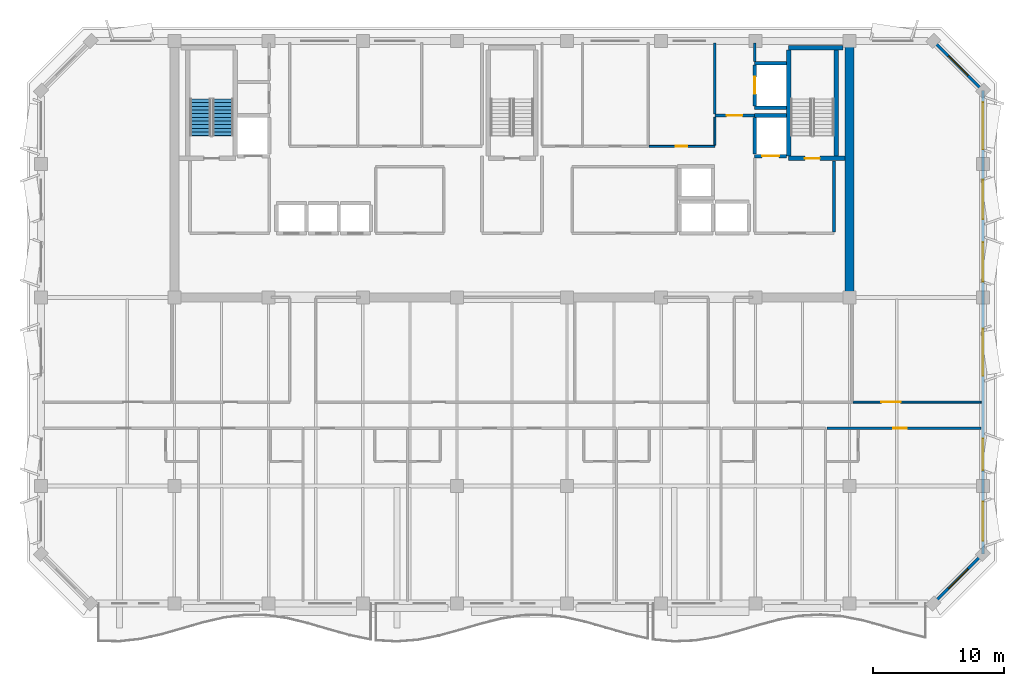
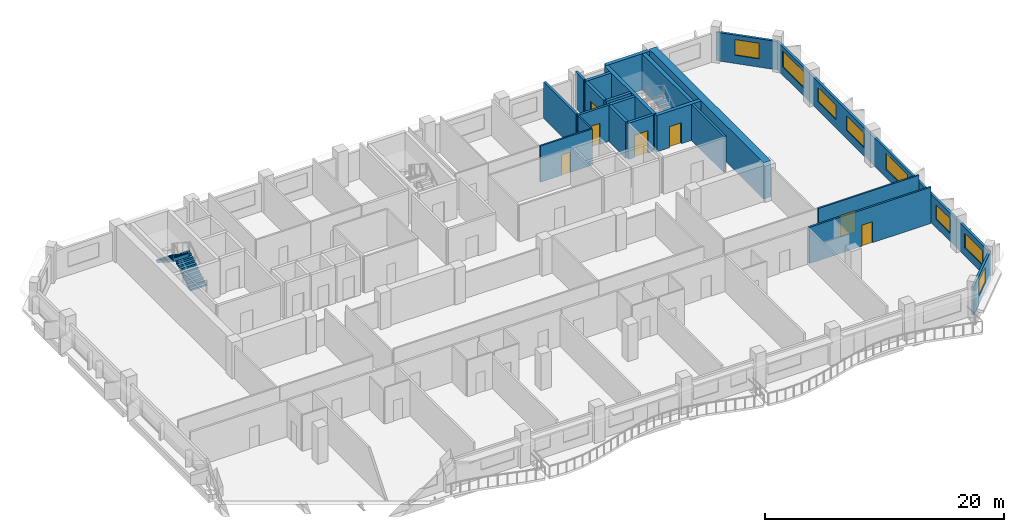
# One storey, part 7 of 11: 22 walls, 8 windows, 7 doors, 2 stair flights, 15 openings, 1 element without a shape of its own.
"""IFC4 building model written with IfcOpenShell, lengths in metres."""

from ifc_helpers import new_model, si_unit, direction, frame, frame_2d, origin, place, context, subcontext, project, spatial, polyline, rectangle, outline, extrude, material, layer, layer_set, type_object, element, fill, aggregate, save


model = new_model("IFC4")

# Units and contexts
model_context = context("Model", 3, precision=1e-05, world=origin(), true_north=direction((0.0, 1.0)))
body_context = subcontext(model_context, "Body", "Model", "MODEL_VIEW")
ifc_project = project(units=[si_unit("LENGTHUNIT", "METRE"), si_unit("AREAUNIT", "SQUARE_METRE"), si_unit("VOLUMEUNIT", "CUBIC_METRE"), si_unit("PLANEANGLEUNIT", "RADIAN"), si_unit("MASSUNIT", "GRAM", prefix="KILO")], contexts=[model_context])

# Site, building, storey
site_placement = place(None, origin())
site = spatial("IfcSite", under=ifc_project, at=site_placement, CompositionType="ELEMENT")
building_placement = place(site_placement, origin())
building = spatial("IfcBuilding", under=site, at=building_placement, Name="Kaelvorn Grand Hotel", CompositionType="ELEMENT")
storey_placement = place(building_placement, frame((0.0, 0.0, 244.949951171875)))
storey = spatial("IfcBuildingStorey", under=building, at=storey_placement, Name="L60", CompositionType="ELEMENT", Elevation=244.949951171875)

# Wall
ifc_material_1 = material(Name="Concrete C50/60", Category="concrete")
ifc_layer_1 = layer(ifc_material_1, 0.699951171875)
ifc_layer_set_1 = layer_set([ifc_layer_1], Name="Concrete C50/60")
wall_type_1 = type_object("IfcWallType", Name="WL-CORE-700-C50", PredefinedType="SHEAR", material=ifc_layer_set_1)
wall_1_placement = place(storey_placement, frame((67.800048828125, 29.39990234375, 0.0), z_axis=(0.0, 0.0, 1.0), x_axis=(0.0, 1.0, 0.0)))
element("IfcWall", 1, at=wall_1_placement, inside=storey, type_object=wall_type_1, Name="L60 Rear-Core East Shear Wall", PredefinedType="SHEAR", context=body_context, shape_type="SweptSolid", body=[
    extrude(rectangle(XDim=19.2001953125, YDim=0.699951171875, at=frame_2d((9.60009765625, 0.0))), origin(), (0.0, 0.0, 1.0), 3.7099609375),
])

# Wall, opening, window
ifc_material_2 = material(Name="Concrete C40/50", Category="concrete")
ifc_layer_2 = layer(ifc_material_2, 0.219970703125)
ifc_layer_set_2 = layer_set([ifc_layer_2], Name="Concrete C40/50")
wall_type_2 = type_object("IfcWallType", Name="WL-EXT-220-C40", PredefinedType="SOLIDWALL", material=ifc_layer_set_2)
wall_2_placement = place(storey_placement, frame((74.199951171875, 6.0, 0.0), z_axis=(0.0, 0.0, 1.0), x_axis=(0.707106781187, 0.707106781187, 0.0)))
wall_2 = element("IfcWall", 2, at=wall_2_placement, inside=storey, type_object=wall_type_2, Name="L60 Exterior Architectural Concrete Wall 02", PredefinedType="SOLIDWALL", context=body_context, shape_type="SweptSolid", body=[
    extrude(rectangle(XDim=5.3740234375, YDim=0.219970703125, at=frame_2d((2.68701171875, 0.0))), origin(), (0.0, 0.0, 1.0), 2.91015625),
])
opening_1_placement = place(wall_2_placement, frame((1.636962890625, 0.0, 0.85009765625)))
opening_1 = element("IfcOpeningElement", 3, at=opening_1_placement, cuts=wall_2, Name="Opening W7", PredefinedType="OPENING", context=body_context, shape_type="SweptSolid", body=[
    extrude(rectangle(XDim=2.10009765625, YDim=1.60009765625, at=frame_2d((1.050048828125, 0.800048828125))), frame((0.0, 0.1201171875, 0.0), z_axis=(0.0, -1.0, 0.0), x_axis=(1.0, 0.0, 0.0)), (0.0, 0.0, 1.0), 0.239990234375),
])
ifc_material_3 = material(Name="Laminated Low-E Glass", Category="glass")
window_type_1 = type_object("IfcWindowType", Name="WIN-CHM-2100x1600", PartitioningType="SINGLE_PANEL", PredefinedType="WINDOW", material=ifc_material_3)
window_1_placement = place(opening_1_placement, origin())
window_1 = element("IfcWindow", 4, at=window_1_placement, inside=storey, type_object=window_type_1, Name="L60 Chamfered 45-Degree Corner Window SE", OverallHeight=1.60009765625, OverallWidth=2.10009765625, PartitioningType="SINGLE_PANEL", PredefinedType="WINDOW", context=body_context, shape_type="SweptSolid", body=[
    extrude(rectangle(XDim=2.10009765625, YDim=1.60009765625, at=frame_2d((1.050048828125, 0.800048828125))), frame((0.0, 0.030029296875, 0.0), z_axis=(0.0, -1.0, 0.0), x_axis=(1.0, 0.0, 0.0)), (0.0, 0.0, 1.0), 0.06005859375),
])
fill(opening_1, window_1)

# Wall, openings, windows
wall_3_placement = place(storey_placement, frame((78.0, 9.800048828125, 0.0), z_axis=(0.0, 0.0, 1.0), x_axis=(0.0, 1.0, 0.0)))
wall_3 = element("IfcWall", 5, at=wall_3_placement, inside=storey, type_object=wall_type_2, Name="L60 Exterior Architectural Concrete Wall 03", PredefinedType="SOLIDWALL", context=body_context, shape_type="SweptSolid", body=[
    extrude(rectangle(XDim=35.39990234375, YDim=0.219970703125, at=frame_2d((17.699951171875, 0.0))), origin(), (0.0, 0.0, 1.0), 2.91015625),
])
opening_2_placement = place(wall_3_placement, frame((0.985107421875, 0.0, 0.85009765625)))
opening_2 = element("IfcOpeningElement", 6, at=opening_2_placement, cuts=wall_3, Name="Opening W5", PredefinedType="OPENING", context=body_context, shape_type="SweptSolid", body=[
    extrude(rectangle(XDim=3.0, YDim=1.5, at=frame_2d((1.5, 0.75))), frame((0.0, 0.1201171875, 0.0), z_axis=(0.0, -1.0, 0.0), x_axis=(1.0, 0.0, 0.0)), (0.0, 0.0, 1.0), 0.239990234375),
])
opening_3_placement = place(wall_3_placement, frame((6.39990234375, 0.0, 0.85009765625)))
opening_3 = element("IfcOpeningElement", 7, at=opening_3_placement, cuts=wall_3, Name="Opening W6", PredefinedType="OPENING", context=body_context, shape_type="SweptSolid", body=[
    extrude(rectangle(XDim=2.39990234375, YDim=1.5, at=frame_2d((1.199951171875, 0.75))), frame((0.0, 0.1201171875, 0.0), z_axis=(0.0, -1.0, 0.0), x_axis=(1.0, 0.0, 0.0)), (0.0, 0.0, 1.0), 0.239990234375),
])
opening_4_placement = place(wall_3_placement, frame((13.60009765625, 0.0, 0.85009765625)))
opening_4 = element("IfcOpeningElement", 8, at=opening_4_placement, cuts=wall_3, Name="Opening W3", PredefinedType="OPENING", context=body_context, shape_type="SweptSolid", body=[
    extrude(rectangle(XDim=3.60009765625, YDim=1.64990234375, at=frame_2d((1.800048828125, 0.824951171875))), frame((0.0, 0.1201171875, 0.0), z_axis=(0.0, -1.0, 0.0), x_axis=(1.0, 0.0, 0.0)), (0.0, 0.0, 1.0), 0.239990234375),
])
opening_5_placement = place(wall_3_placement, frame((20.81494140625, 0.0, 0.85009765625)))
opening_5 = element("IfcOpeningElement", 9, at=opening_5_placement, cuts=wall_3, Name="Opening W5", PredefinedType="OPENING", context=body_context, shape_type="SweptSolid", body=[
    extrude(rectangle(XDim=3.0, YDim=1.5, at=frame_2d((1.5, 0.75))), frame((0.0, 0.1201171875, 0.0), z_axis=(0.0, -1.0, 0.0), x_axis=(1.0, 0.0, 0.0)), (0.0, 0.0, 1.0), 0.239990234375),
])
opening_6_placement = place(wall_3_placement, frame((25.5849609375, 0.0, 0.85009765625)))
opening_6 = element("IfcOpeningElement", 10, at=opening_6_placement, cuts=wall_3, Name="Opening W5", PredefinedType="OPENING", context=body_context, shape_type="SweptSolid", body=[
    extrude(rectangle(XDim=3.0, YDim=1.5, at=frame_2d((1.5, 0.75))), frame((0.0, 0.1201171875, 0.0), z_axis=(0.0, -1.0, 0.0), x_axis=(1.0, 0.0, 0.0)), (0.0, 0.0, 1.0), 0.239990234375),
])
opening_7_placement = place(wall_3_placement, frame((30.9150390625, 0.0, 0.85009765625)))
opening_7 = element("IfcOpeningElement", 11, at=opening_7_placement, cuts=wall_3, Name="Opening W3", PredefinedType="OPENING", context=body_context, shape_type="SweptSolid", body=[
    extrude(rectangle(XDim=3.60009765625, YDim=1.64990234375, at=frame_2d((1.800048828125, 0.824951171875))), frame((0.0, 0.1201171875, 0.0), z_axis=(0.0, -1.0, 0.0), x_axis=(1.0, 0.0, 0.0)), (0.0, 0.0, 1.0), 0.239990234375),
])
window_type_2 = type_object("IfcWindowType", Name="WIN-NTH-2400x1500", PartitioningType="SINGLE_PANEL", PredefinedType="WINDOW", material=ifc_material_3)
window_2_placement = place(opening_3_placement, origin())
window_2 = element("IfcWindow", 12, at=window_2_placement, inside=storey, type_object=window_type_2, Name="L60 E Wing Tilted-Frame Ribbon Window E02", OverallHeight=1.5, OverallWidth=2.39990234375, PartitioningType="SINGLE_PANEL", PredefinedType="WINDOW", context=body_context, shape_type="SweptSolid", body=[
    extrude(rectangle(XDim=2.39990234375, YDim=1.5, at=frame_2d((1.199951171875, 0.75))), frame((0.0, 0.030029296875, 0.0), z_axis=(0.0, -1.0, 0.0), x_axis=(1.0, 0.0, 0.0)), (0.0, 0.0, 1.0), 0.06005859375),
])
fill(opening_3, window_2)
window_type_3 = type_object("IfcWindowType", Name="WIN-NTH-3000x1500", PartitioningType="SINGLE_PANEL", PredefinedType="WINDOW", material=ifc_material_3)
window_3_placement = place(opening_2_placement, origin())
window_3 = element("IfcWindow", 13, at=window_3_placement, inside=storey, type_object=window_type_3, Name="L60 E Wing Tilted-Frame Ribbon Window E01", OverallHeight=1.5, OverallWidth=3.0, PartitioningType="SINGLE_PANEL", PredefinedType="WINDOW", context=body_context, shape_type="SweptSolid", body=[
    extrude(rectangle(XDim=3.0, YDim=1.5, at=frame_2d((1.5, 0.75))), frame((0.0, 0.030029296875, 0.0), z_axis=(0.0, -1.0, 0.0), x_axis=(1.0, 0.0, 0.0)), (0.0, 0.0, 1.0), 0.06005859375),
])
fill(opening_2, window_3)
window_4_placement = place(opening_5_placement, origin())
window_4 = element("IfcWindow", 14, at=window_4_placement, inside=storey, type_object=window_type_3, Name="L60 E Wing Tilted-Frame Ribbon Window E04", OverallHeight=1.5, OverallWidth=3.0, PartitioningType="SINGLE_PANEL", PredefinedType="WINDOW", context=body_context, shape_type="SweptSolid", body=[
    extrude(rectangle(XDim=3.0, YDim=1.5, at=frame_2d((1.5, 0.75))), frame((0.0, 0.030029296875, 0.0), z_axis=(0.0, -1.0, 0.0), x_axis=(1.0, 0.0, 0.0)), (0.0, 0.0, 1.0), 0.06005859375),
])
fill(opening_5, window_4)
window_5_placement = place(opening_6_placement, origin())
window_5 = element("IfcWindow", 15, at=window_5_placement, inside=storey, type_object=window_type_3, Name="L60 E Wing Tilted-Frame Ribbon Window E05", OverallHeight=1.5, OverallWidth=3.0, PartitioningType="SINGLE_PANEL", PredefinedType="WINDOW", context=body_context, shape_type="SweptSolid", body=[
    extrude(rectangle(XDim=3.0, YDim=1.5, at=frame_2d((1.5, 0.75))), frame((0.0, 0.030029296875, 0.0), z_axis=(0.0, -1.0, 0.0), x_axis=(1.0, 0.0, 0.0)), (0.0, 0.0, 1.0), 0.06005859375),
])
fill(opening_6, window_5)
window_type_4 = type_object("IfcWindowType", Name="WIN-RIB-3600x1750", PartitioningType="SINGLE_PANEL", PredefinedType="WINDOW", material=ifc_material_3)
window_6_placement = place(opening_4_placement, origin())
window_6 = element("IfcWindow", 16, at=window_6_placement, inside=storey, type_object=window_type_4, Name="L60 E Wing Tilted-Frame Ribbon Window E03", OverallHeight=1.64990234375, OverallWidth=3.60009765625, PartitioningType="SINGLE_PANEL", PredefinedType="WINDOW", context=body_context, shape_type="SweptSolid", body=[
    extrude(rectangle(XDim=3.60009765625, YDim=1.64990234375, at=frame_2d((1.800048828125, 0.824951171875))), frame((0.0, 0.030029296875, 0.0), z_axis=(0.0, -1.0, 0.0), x_axis=(1.0, 0.0, 0.0)), (0.0, 0.0, 1.0), 0.06005859375),
])
fill(opening_4, window_6)
window_7_placement = place(opening_7_placement, origin())
window_7 = element("IfcWindow", 17, at=window_7_placement, inside=storey, type_object=window_type_4, Name="L60 E Wing Tilted-Frame Ribbon Window E06", OverallHeight=1.64990234375, OverallWidth=3.60009765625, PartitioningType="SINGLE_PANEL", PredefinedType="WINDOW", context=body_context, shape_type="SweptSolid", body=[
    extrude(rectangle(XDim=3.60009765625, YDim=1.64990234375, at=frame_2d((1.800048828125, 0.824951171875))), frame((0.0, 0.030029296875, 0.0), z_axis=(0.0, -1.0, 0.0), x_axis=(1.0, 0.0, 0.0)), (0.0, 0.0, 1.0), 0.06005859375),
])
fill(opening_7, window_7)

# Wall, opening, window
wall_4_placement = place(storey_placement, frame((78.0, 45.199951171875, 0.0), z_axis=(0.0, 0.0, 1.0), x_axis=(-0.707106781187, 0.707106781187, 0.0)))
wall_4 = element("IfcWall", 18, at=wall_4_placement, inside=storey, type_object=wall_type_2, Name="L60 Exterior Architectural Concrete Wall 04", PredefinedType="SOLIDWALL", context=body_context, shape_type="SweptSolid", body=[
    extrude(rectangle(XDim=5.3740234375, YDim=0.219970703125, at=frame_2d((2.68701171875, 0.0))), origin(), (0.0, 0.0, 1.0), 2.91015625),
])
opening_8_placement = place(wall_4_placement, frame((1.636962890625, 0.0, 0.85009765625)))
opening_8 = element("IfcOpeningElement", 19, at=opening_8_placement, cuts=wall_4, Name="Opening W7", PredefinedType="OPENING", context=body_context, shape_type="SweptSolid", body=[
    extrude(rectangle(XDim=2.10009765625, YDim=1.60009765625, at=frame_2d((1.050048828125, 0.800048828125))), frame((0.0, 0.1201171875, 0.0), z_axis=(0.0, -1.0, 0.0), x_axis=(1.0, 0.0, 0.0)), (0.0, 0.0, 1.0), 0.239990234375),
])
window_8_placement = place(opening_8_placement, origin())
window_8 = element("IfcWindow", 20, at=window_8_placement, inside=storey, type_object=window_type_1, Name="L60 Chamfered 45-Degree Corner Window NE", OverallHeight=1.60009765625, OverallWidth=2.10009765625, PartitioningType="SINGLE_PANEL", PredefinedType="WINDOW", context=body_context, shape_type="SweptSolid", body=[
    extrude(rectangle(XDim=2.10009765625, YDim=1.60009765625, at=frame_2d((1.050048828125, 0.800048828125))), frame((0.0, 0.030029296875, 0.0), z_axis=(0.0, -1.0, 0.0), x_axis=(1.0, 0.0, 0.0)), (0.0, 0.0, 1.0), 0.06005859375),
])
fill(opening_8, window_8)

# Wall, opening, door
ifc_material_4 = material(Name="Acoustic Gypsum & Stud Partition")
ifc_layer_3 = layer(ifc_material_4, 0.14990234375)
ifc_layer_set_3 = layer_set([ifc_layer_3], Name="Acoustic Gypsum & Stud Partition")
wall_type_3 = type_object("IfcWallType", Name="WL-PART-150-EI60", PredefinedType="PARTITIONING", material=ifc_layer_set_3)
wall_5_placement = place(storey_placement, frame((52.47998046875, 40.949951171875, 0.0), z_axis=(0.0, 0.0, 1.0), x_axis=(1.0, 0.0, 0.0)))
wall_5 = element("IfcWall", 21, at=wall_5_placement, inside=storey, type_object=wall_type_3, Name="L60 Clean Utility & Amenity Store S Partition", PredefinedType="PARTITIONING", context=body_context, shape_type="SweptSolid", body=[
    extrude(rectangle(XDim=5.02001953125, YDim=0.14990234375, at=frame_2d((2.510009765625, 0.0))), origin(), (0.0, 0.0, 1.0), 3.7099609375),
])
opening_9_placement = place(wall_5_placement, frame((2.044921875, 0.0, 0.0)))
opening_9 = element("IfcOpeningElement", 22, at=opening_9_placement, cuts=wall_5, Name="Opening DI7", PredefinedType="OPENING", context=body_context, shape_type="SweptSolid", body=[
    extrude(rectangle(XDim=0.85009765625, YDim=2.10009765625, at=frame_2d((0.425048828125, 1.050048828125))), frame((0.0, 0.0849609375, 0.0), z_axis=(0.0, -1.0, 0.0), x_axis=(1.0, 0.0, 0.0)), (0.0, 0.0, 1.0), 0.169921875),
])
ifc_material_5 = material(Name="Powder-Coated Steel Leaf", Category="steel")
door_type_1 = type_object("IfcDoorType", Name="DR-INT-RISER-850x2100", OperationType="NOTDEFINED", PredefinedType="DOOR", material=ifc_material_5)
door_1_placement = place(opening_9_placement, origin())
door_1 = element("IfcDoor", 23, at=door_1_placement, inside=storey, type_object=door_type_1, Name="L60 Clean Utility & Amenity Store Door", OperationType="SINGLE_SWING_RIGHT", OverallHeight=2.10009765625, OverallWidth=0.85009765625, PredefinedType="DOOR", context=body_context, shape_type="SweptSolid", body=[
    extrude(rectangle(XDim=0.85009765625, YDim=2.10009765625, at=frame_2d((0.425048828125, 1.050048828125))), frame((0.0, 0.02490234375, 0.0), z_axis=(0.0, -1.0, 0.0), x_axis=(1.0, 0.0, 0.0)), (0.0, 0.0, 1.0), 0.050048828125),
])
fill(opening_9, door_1)

# Wall
wall_6_placement = place(storey_placement, frame((57.5, 41.030029296875, 0.0), z_axis=(0.0, 0.0, 1.0), x_axis=(0.0, 1.0, 0.0)))
element("IfcWall", 24, at=wall_6_placement, inside=storey, type_object=wall_type_3, Name="L60 Clean Utility & Amenity Store E Partition", PredefinedType="PARTITIONING", context=body_context, shape_type="SweptSolid", body=[
    extrude(rectangle(XDim=2.155029296875, YDim=0.14990234375, at=frame_2d((1.07763671875, 0.0))), origin(), (0.0, 0.0, 1.0), 3.7099609375),
])

# Wall, opening, door
wall_7_placement = place(storey_placement, frame((68.080078125, 21.39990234375, 0.0), z_axis=(0.0, 0.0, 1.0), x_axis=(1.0, 0.0, 0.0)))
wall_7 = element("IfcWall", 25, at=wall_7_placement, inside=storey, type_object=wall_type_3, Name="L60 East Sky Private Dining Restaurant S Partition", PredefinedType="PARTITIONING", context=body_context, shape_type="SweptSolid", body=[
    extrude(rectangle(XDim=9.77001953125, YDim=0.14990234375, at=frame_2d((4.885009765625, 0.0))), origin(), (0.0, 0.0, 1.0), 3.7099609375),
])
opening_10_placement = place(wall_7_placement, frame((2.139892578125, 0.0, 0.0)))
opening_10 = element("IfcOpeningElement", 26, at=opening_10_placement, cuts=wall_7, Name="Opening DI5", PredefinedType="OPENING", context=body_context, shape_type="SweptSolid", body=[
    extrude(rectangle(XDim=1.5, YDim=2.25, at=frame_2d((0.75, 1.125))), frame((0.0, 0.0849609375, 0.0), z_axis=(0.0, -1.0, 0.0), x_axis=(1.0, 0.0, 0.0)), (0.0, 0.0, 1.0), 0.169921875),
])
ifc_material_6 = material(Name="Timber Veneer Fire Leaf", Category="wood")
door_type_2 = type_object("IfcDoorType", Name="DR-INT-SALON-1500x2250", OperationType="DOUBLE_DOOR_SINGLE_SWING", PredefinedType="DOOR", material=ifc_material_6)
door_2_placement = place(opening_10_placement, origin())
door_2 = element("IfcDoor", 27, at=door_2_placement, inside=storey, type_object=door_type_2, Name="L60 East Sky Private Dining Restaurant Door", OperationType="DOUBLE_DOOR_SINGLE_SWING", OverallHeight=2.25, OverallWidth=1.5, PredefinedType="DOOR", context=body_context, shape_type="SweptSolid", body=[
    extrude(rectangle(XDim=1.5, YDim=2.25, at=frame_2d((0.75, 1.125))), frame((0.0, 0.02490234375, 0.0), z_axis=(0.0, -1.0, 0.0), x_axis=(1.0, 0.0, 0.0)), (0.0, 0.0, 1.0), 0.050048828125),
])
fill(opening_10, door_2)

ifc_layer_4 = layer(ifc_material_4, 0.179931640625)
ifc_layer_set_4 = layer_set([ifc_layer_4], Name="Acoustic Gypsum & Stud Partition")
wall_type_4 = type_object("IfcWallType", Name="WL-PART-180-EI60", PredefinedType="PARTITIONING", material=ifc_layer_set_4)
wall_8_placement = place(storey_placement, frame((66.0576171875, 19.39990234375, 0.0), z_axis=(0.0, 0.0, 1.0), x_axis=(1.0, 0.0, 0.0)))
wall_8 = element("IfcWall", 28, at=wall_8_placement, inside=storey, type_object=wall_type_4, Name="L60 Ambassador Junior Suite L60-08 N Partition", PredefinedType="PARTITIONING", context=body_context, shape_type="SweptSolid", body=[
    extrude(rectangle(XDim=11.79248046875, YDim=0.179931640625, at=frame_2d((5.896240234375, 0.0))), origin(), (0.0, 0.0, 1.0), 3.7099609375),
])
opening_11_placement = place(wall_8_placement, frame((5.0986328125, 0.0, 0.0)))
opening_11 = element("IfcOpeningElement", 29, at=opening_11_placement, cuts=wall_8, Name="Opening DI3", PredefinedType="OPENING", context=body_context, shape_type="SweptSolid", body=[
    extrude(rectangle(XDim=1.0, YDim=2.14990234375, at=frame_2d((0.5, 1.074951171875))), frame((0.0, 0.10009765625, 0.0), z_axis=(0.0, -1.0, 0.0), x_axis=(1.0, 0.0, 0.0)), (0.0, 0.0, 1.0), 0.199951171875),
])
door_type_3 = type_object("IfcDoorType", Name="DR-INT-GUEST-1000x2150", OperationType="NOTDEFINED", PredefinedType="DOOR", material=ifc_material_6)
door_3_placement = place(opening_11_placement, origin())
door_3 = element("IfcDoor", 30, at=door_3_placement, inside=storey, type_object=door_type_3, Name="L60 Ambassador Junior Suite L60-08 Door", OperationType="SINGLE_SWING_LEFT", OverallHeight=2.14990234375, OverallWidth=1.0, PredefinedType="DOOR", context=body_context, shape_type="SweptSolid", body=[
    extrude(rectangle(XDim=1.0, YDim=2.14990234375, at=frame_2d((0.5, 1.074951171875))), frame((0.0, 0.02490234375, 0.0), z_axis=(0.0, -1.0, 0.0), x_axis=(1.0, 0.0, 0.0)), (0.0, 0.0, 1.0), 0.050048828125),
])
fill(opening_11, door_3)

# Wall
ifc_layer_5 = layer(ifc_material_2, 0.219970703125)
ifc_layer_set_5 = layer_set([ifc_layer_5], Name="Concrete C40/50")
wall_type_5 = type_object("IfcWallType", Name="WL-PART-220-EI120", PredefinedType="PARTITIONING", material=ifc_layer_set_5)
wall_9_placement = place(storey_placement, frame((66.60009765625, 34.4150390625, 0.0), z_axis=(0.0, 0.0, 1.0), x_axis=(0.0, 1.0, 0.0)))
element("IfcWall", 31, at=wall_9_placement, inside=storey, type_object=wall_type_5, Name="L60 Firefighting Lift Lobby 2 E Partition", PredefinedType="PARTITIONING", context=body_context, shape_type="SweptSolid", body=[
    extrude(rectangle(XDim=5.429931640625, YDim=0.219970703125, at=frame_2d((2.71484375, 0.0))), origin(), (0.0, 0.0, 1.0), 3.7099609375),
])

# Wall, opening, door
wall_10_placement = place(storey_placement, frame((57.5, 43.300048828125, 0.0), z_axis=(0.0, 0.0, 1.0), x_axis=(1.0, 0.0, 0.0)))
wall_10 = element("IfcWall", 32, at=wall_10_placement, inside=storey, type_object=wall_type_5, Name="L60 Service Lift Lobby S Partition", PredefinedType="PARTITIONING", context=body_context, shape_type="SweptSolid", body=[
    extrude(rectangle(XDim=3.0400390625, YDim=0.219970703125, at=frame_2d((1.52001953125, 0.0))), origin(), (0.0, 0.0, 1.0), 3.7099609375),
])
opening_12_placement = place(wall_10_placement, frame((0.89990234375, 0.0, 0.0)))
opening_12 = element("IfcOpeningElement", 33, at=opening_12_placement, cuts=wall_10, Name="Opening DI2", PredefinedType="OPENING", context=body_context, shape_type="SweptSolid", body=[
    extrude(rectangle(XDim=1.199951171875, YDim=2.14990234375, at=frame_2d((0.60009765625, 1.074951171875))), frame((0.0, 0.1201171875, 0.0), z_axis=(0.0, -1.0, 0.0), x_axis=(1.0, 0.0, 0.0)), (0.0, 0.0, 1.0), 0.239990234375),
])
door_type_4 = type_object("IfcDoorType", Name="DR-INT-FFLOB-1200x2150", OperationType="NOTDEFINED", PredefinedType="DOOR", material=ifc_material_6)
door_4_placement = place(opening_12_placement, origin())
door_4 = element("IfcDoor", 34, at=door_4_placement, inside=storey, type_object=door_type_4, Name="L60 Service Lift Lobby Door", OperationType="SINGLE_SWING_RIGHT", OverallHeight=2.14990234375, OverallWidth=1.199951171875, PredefinedType="DOOR", context=body_context, shape_type="SweptSolid", body=[
    extrude(rectangle(XDim=1.199951171875, YDim=2.14990234375, at=frame_2d((0.60009765625, 1.074951171875))), frame((0.0, 0.02490234375, 0.0), z_axis=(0.0, -1.0, 0.0), x_axis=(1.0, 0.0, 0.0)), (0.0, 0.0, 1.0), 0.050048828125),
])
fill(opening_12, door_4)

# Walls
wall_11_placement = place(storey_placement, frame((57.5, 43.4150390625, 0.0), z_axis=(0.0, 0.0, 1.0), x_axis=(0.0, 1.0, 0.0)))
element("IfcWall", 35, at=wall_11_placement, inside=storey, type_object=wall_type_5, Name="L60 Service Lift Lobby W Partition", PredefinedType="PARTITIONING", context=body_context, shape_type="SweptSolid", body=[
    extrude(rectangle(XDim=5.43505859375, YDim=0.219970703125, at=frame_2d((2.717529296875, 0.0))), origin(), (0.0, 0.0, 1.0), 3.7099609375),
])
wall_12_placement = place(storey_placement, frame((60.550048828125, 47.445068359375, 0.0), z_axis=(0.0, 0.0, 1.0), x_axis=(0.0, 1.0, 0.0)))
element("IfcWall", 36, at=wall_12_placement, inside=storey, type_object=wall_type_5, Name="L60 Service Lift Lobby E Partition", PredefinedType="PARTITIONING", context=body_context, shape_type="SweptSolid", body=[
    extrude(rectangle(XDim=1.405029296875, YDim=0.219970703125, at=frame_2d((0.70263671875, 0.0))), origin(), (0.0, 0.0, 1.0), 3.7099609375),
])

# Wall, opening, door
ifc_layer_6 = layer(ifc_material_1, 0.280029296875)
ifc_layer_set_6 = layer_set([ifc_layer_6], Name="Concrete C50/60")
wall_type_6 = type_object("IfcWallType", Name="WL-SHAFT-280-C50", PredefinedType="SHEAR", material=ifc_layer_set_6)
wall_13_placement = place(storey_placement, frame((60.550048828125, 40.199951171875, 0.0), z_axis=(0.0, 0.0, 1.0), x_axis=(1.0, 0.0, 0.0)))
wall_13 = element("IfcWall", 37, at=wall_13_placement, inside=storey, type_object=wall_type_6, Name="L60 Lift FFL2 Shaft South Wall", PredefinedType="SHEAR", context=body_context, shape_type="SweptSolid", body=[
    extrude(rectangle(XDim=2.4150390625, YDim=0.280029296875, at=frame_2d((1.20751953125, 0.0))), origin(), (0.0, 0.0, 1.0), 3.7099609375),
])
opening_13_placement = place(wall_13_placement, frame((0.574951171875, 0.0, 0.0)))
opening_13 = element("IfcOpeningElement", 38, at=opening_13_placement, cuts=wall_13, Name="Opening LD-FFL2", PredefinedType="OPENING", context=body_context, shape_type="SweptSolid", body=[
    extrude(rectangle(XDim=1.300048828125, YDim=2.300048828125, at=frame_2d((0.64990234375, 1.14990234375))), frame((0.0, 0.14990234375, 0.0), z_axis=(0.0, -1.0, 0.0), x_axis=(1.0, 0.0, 0.0)), (0.0, 0.0, 1.0), 0.300048828125),
])
ifc_material_7 = material(Name="Stainless Steel", Category="steel")
door_type_5 = type_object("IfcDoorType", Name="DR-LIFT-SERV-1300x2300", OperationType="DOUBLE_DOOR_SLIDING", PredefinedType="DOOR", material=ifc_material_7)
door_5_placement = place(opening_13_placement, origin())
door_5 = element("IfcDoor", 39, at=door_5_placement, inside=storey, type_object=door_type_5, Name="L60 Lift FFL2 Sliding Landing Door LD-FFL2", OperationType="DOUBLE_DOOR_SLIDING", OverallHeight=2.300048828125, OverallWidth=1.300048828125, PredefinedType="DOOR", context=body_context, shape_type="SweptSolid", body=[
    extrude(rectangle(XDim=1.300048828125, YDim=2.300048828125, at=frame_2d((0.64990234375, 1.14990234375))), frame((0.0, 0.02490234375, 0.0), z_axis=(0.0, -1.0, 0.0), x_axis=(1.0, 0.0, 0.0)), (0.0, 0.0, 1.0), 0.050048828125),
])
fill(opening_13, door_5)

# Walls
wall_14_placement = place(storey_placement, frame((60.550048828125, 43.300048828125, 0.0), z_axis=(0.0, 0.0, 1.0), x_axis=(1.0, 0.0, 0.0)))
element("IfcWall", 40, at=wall_14_placement, inside=storey, type_object=wall_type_6, Name="L60 Lift FFL2 Shaft North Wall", PredefinedType="SHEAR", context=body_context, shape_type="SweptSolid", body=[
    extrude(rectangle(XDim=2.4150390625, YDim=0.280029296875, at=frame_2d((1.20751953125, 0.0))), origin(), (0.0, 0.0, 1.0), 3.7099609375),
])
wall_15_placement = place(storey_placement, frame((60.550048828125, 40.344970703125, 0.0), z_axis=(0.0, 0.0, 1.0), x_axis=(0.0, 1.0, 0.0)))
element("IfcWall", 41, at=wall_15_placement, inside=storey, type_object=wall_type_6, Name="L60 Lift FFL2 Shaft West Wall", PredefinedType="SHEAR", context=body_context, shape_type="SweptSolid", body=[
    extrude(rectangle(XDim=2.81005859375, YDim=0.280029296875, at=frame_2d((1.405029296875, 0.0))), origin(), (0.0, 0.0, 1.0), 3.7099609375),
])
for number, where, z_axis, x_axis, name in (
    (42, (60.550048828125, 43.89990234375, 0.0), (0.0, 0.0, 1.0), (1.0, 0.0, 0.0), "L60 Lift SV1 Shaft South Wall"),
    (43, (60.550048828125, 47.300048828125, 0.0), (0.0, 0.0, 1.0), (1.0, 0.0, 0.0), "L60 Lift SV1 Shaft North Wall"),
):
    element("IfcWall", number, at=place(storey_placement, frame(where, z_axis=z_axis, x_axis=x_axis)), inside=storey, type_object=wall_type_6, Name=name, PredefinedType="SHEAR", context=body_context, shape_type="SweptSolid", body=[
        extrude(rectangle(XDim=2.4150390625, YDim=0.280029296875, at=frame_2d((1.20751953125, 0.0))), origin(), (0.0, 0.0, 1.0), 3.7099609375),
    ])

# Wall, opening, door
wall_16_placement = place(storey_placement, frame((60.550048828125, 44.044921875, 0.0), z_axis=(0.0, 0.0, 1.0), x_axis=(0.0, 1.0, 0.0)))
wall_16 = element("IfcWall", 44, at=wall_16_placement, inside=storey, type_object=wall_type_6, Name="L60 Lift SV1 Shaft West Wall", PredefinedType="SHEAR", context=body_context, shape_type="SweptSolid", body=[
    extrude(rectangle(XDim=3.110107421875, YDim=0.280029296875, at=frame_2d((1.55517578125, 0.0))), origin(), (0.0, 0.0, 1.0), 3.7099609375),
])
opening_14_placement = place(wall_16_placement, frame((0.905029296875, 0.0, 0.0)))
opening_14 = element("IfcOpeningElement", 45, at=opening_14_placement, cuts=wall_16, Name="Opening LD-SV1", PredefinedType="OPENING", context=body_context, shape_type="SweptSolid", body=[
    extrude(rectangle(XDim=1.300048828125, YDim=2.300048828125, at=frame_2d((0.64990234375, 1.14990234375))), frame((0.0, 0.14990234375, 0.0), z_axis=(0.0, -1.0, 0.0), x_axis=(1.0, 0.0, 0.0)), (0.0, 0.0, 1.0), 0.300048828125),
])
door_6_placement = place(opening_14_placement, origin())
door_6 = element("IfcDoor", 46, at=door_6_placement, inside=storey, type_object=door_type_5, Name="L60 Lift SV1 Sliding Landing Door LD-SV1", OperationType="DOUBLE_DOOR_SLIDING", OverallHeight=2.300048828125, OverallWidth=1.300048828125, PredefinedType="DOOR", context=body_context, shape_type="SweptSolid", body=[
    extrude(rectangle(XDim=1.300048828125, YDim=2.300048828125, at=frame_2d((0.64990234375, 1.14990234375))), frame((0.0, 0.02490234375, 0.0), z_axis=(0.0, -1.0, 0.0), x_axis=(1.0, 0.0, 0.0)), (0.0, 0.0, 1.0), 0.050048828125),
])
fill(opening_14, door_6)

ifc_material_8 = material(Name="Concrete C60/75", Category="concrete")
ifc_layer_7 = layer(ifc_material_8, 0.35009765625)
ifc_layer_set_7 = layer_set([ifc_layer_7], Name="Concrete C60/75")
wall_type_7 = type_object("IfcWallType", Name="WL-SHAFT-350-C60", PredefinedType="SHEAR", material=ifc_layer_set_7)
wall_17_placement = place(storey_placement, frame((63.14501953125, 40.02490234375, 0.0), z_axis=(0.0, 0.0, 1.0), x_axis=(1.0, 0.0, 0.0)))
wall_17 = element("IfcWall", 47, at=wall_17_placement, inside=storey, type_object=wall_type_7, Name="L60 ST3 Stair Shaft South Wall", PredefinedType="SHEAR", context=body_context, shape_type="SweptSolid", body=[
    extrude(rectangle(XDim=4.300048828125, YDim=0.35009765625, at=frame_2d((2.14990234375, 0.0))), origin(), (0.0, 0.0, 1.0), 3.7099609375),
])
opening_15_placement = place(wall_17_placement, frame((1.239990234375, 0.0, 0.0)))
opening_15 = element("IfcOpeningElement", 48, at=opening_15_placement, cuts=wall_17, Name="Opening DI1", PredefinedType="OPENING", context=body_context, shape_type="SweptSolid", body=[
    extrude(rectangle(XDim=1.14990234375, YDim=2.14990234375, at=frame_2d((0.574951171875, 1.074951171875))), frame((0.0, 0.18505859375, 0.0), z_axis=(0.0, -1.0, 0.0), x_axis=(1.0, 0.0, 0.0)), (0.0, 0.0, 1.0), 0.3701171875),
])
door_type_6 = type_object("IfcDoorType", Name="DR-INT-STAIR-1150x2150", OperationType="NOTDEFINED", PredefinedType="DOOR", material=ifc_material_6)
door_7_placement = place(opening_15_placement, origin())
door_7 = element("IfcDoor", 49, at=door_7_placement, inside=storey, type_object=door_type_6, Name="L60 ST3 Exit Stair Fire Door", OperationType="SINGLE_SWING_RIGHT", OverallHeight=2.14990234375, OverallWidth=1.14990234375, PredefinedType="DOOR", context=body_context, shape_type="SweptSolid", body=[
    extrude(rectangle(XDim=1.14990234375, YDim=2.14990234375, at=frame_2d((0.574951171875, 1.074951171875))), frame((0.0, 0.02490234375, 0.0), z_axis=(0.0, -1.0, 0.0), x_axis=(1.0, 0.0, 0.0)), (0.0, 0.0, 1.0), 0.050048828125),
])
fill(opening_15, door_7)

# Walls
wall_18_placement = place(storey_placement, frame((63.14501953125, 48.47509765625, 0.0), z_axis=(0.0, 0.0, 1.0), x_axis=(1.0, 0.0, 0.0)))
element("IfcWall", 50, at=wall_18_placement, inside=storey, type_object=wall_type_7, Name="L60 ST3 Stair Shaft North Wall", PredefinedType="SHEAR", context=body_context, shape_type="SweptSolid", body=[
    extrude(rectangle(XDim=4.14990234375, YDim=0.35009765625, at=frame_2d((2.074951171875, 0.0))), origin(), (0.0, 0.0, 1.0), 3.7099609375),
])
for number, where, z_axis, x_axis, name in (
    (51, (63.14501953125, 40.205078125, 0.0), (0.0, 0.0, 1.0), (0.0, 1.0, 0.0), "L60 ST3 Stair Shaft West Wall"),
    (52, (66.77490234375, 40.205078125, 0.0), (0.0, 0.0, 1.0), (0.0, 1.0, 0.0), "L60 ST3 Stair Shaft East Wall"),
):
    element("IfcWall", number, at=place(storey_placement, frame(where, z_axis=z_axis, x_axis=x_axis)), inside=storey, type_object=wall_type_7, Name=name, PredefinedType="SHEAR", context=body_context, shape_type="SweptSolid", body=[
        extrude(rectangle(XDim=8.08984375, YDim=0.35009765625, at=frame_2d((4.044921875, 0.0))), origin(), (0.0, 0.0, 1.0), 3.7099609375),
    ])

# Stair, stair flights
stair_type = type_object("IfcStairType", Name="STR-DOG-1560-R09", PredefinedType="HALF_TURN_STAIR", material=ifc_material_2)
stair_placement = place(storey_placement, origin())
stair = element("IfcStair", 53, at=stair_placement, inside=storey, type_object=stair_type, Name="L60 West Core Exit Stair ST1", PredefinedType="HALF_TURN_STAIR")
stair_flight_type = type_object("IfcStairFlightType", Name="FLG-DOG-1560-R09", PredefinedType="STRAIGHT", material=ifc_material_2)
stair_flight_1_placement = place(storey_placement, frame((19.89990234375, 41.760009765625, 0.0), z_axis=(0.0, 0.0, 1.0), x_axis=(0.0, 1.0, 0.0)))
stair_flight_1 = element("IfcStairFlight", 54, at=stair_flight_1_placement, type_object=stair_flight_type, Name="ST1 flight 1", NumberOfRisers=11, NumberOfTreads=10, PredefinedType="STRAIGHT", RiserHeight=0.179545455, TreadLength=0.28, context=body_context, shape_type="SweptSolid", body=[
    extrude(outline(polyline([(-0.0048828125, 0.0), (-0.0048828125, 0.0400390625), (0.0, 0.179443359375), (0.280029296875, 0.179443359375), (0.280029296875, 0.359130859375), (0.56005859375, 0.359130859375), (0.56005859375, 0.53857421875), (0.840087890625, 0.53857421875), (0.840087890625, 0.71826171875), (1.1201171875, 0.71826171875), (1.1201171875, 0.897705078125), (1.39990234375, 0.897705078125), (1.39990234375, 1.077392578125), (1.679931640625, 1.077392578125), (1.679931640625, 1.2568359375), (1.9599609375, 1.2568359375), (1.9599609375, 1.436279296875), (2.239990234375, 1.436279296875), (2.239990234375, 1.615966796875), (2.52001953125, 1.615966796875), (2.52001953125, 1.79541015625), (2.800048828125, 1.79541015625), (2.800048828125, 1.97509765625), (2.804931640625, 1.97509765625), (2.804931640625, 1.617431640625), (0.277587890625, 0.0), (-0.0048828125, 0.0)])), frame((0.0, 0.780029296875, 0.0), z_axis=(0.0, -1.0, 0.0), x_axis=(1.0, 0.0, 0.0)), (0.0, 0.0, 1.0), 1.56005859375),
])
stair_flight_2_placement = place(storey_placement, frame((18.179931640625, 44.56005859375, 1.97509765625), z_axis=(0.0, 0.0, 1.0), x_axis=(0.0, -1.0, 0.0)))
stair_flight_2 = element("IfcStairFlight", 55, at=stair_flight_2_placement, type_object=stair_flight_type, Name="ST1 flight 2", NumberOfRisers=11, NumberOfTreads=10, PredefinedType="STRAIGHT", RiserHeight=0.179545455, TreadLength=0.28, context=body_context, shape_type="SweptSolid", body=[
    extrude(outline(polyline([(-0.0048828125, 0.0), (-0.0048828125, 0.0400390625), (0.0, 0.179443359375), (0.280029296875, 0.179443359375), (0.280029296875, 0.359130859375), (0.56005859375, 0.359130859375), (0.56005859375, 0.53857421875), (0.840087890625, 0.53857421875), (0.840087890625, 0.71826171875), (1.1201171875, 0.71826171875), (1.1201171875, 0.897705078125), (1.39990234375, 0.897705078125), (1.39990234375, 1.077392578125), (1.679931640625, 1.077392578125), (1.679931640625, 1.2568359375), (1.9599609375, 1.2568359375), (1.9599609375, 1.436279296875), (2.239990234375, 1.436279296875), (2.239990234375, 1.615966796875), (2.52001953125, 1.615966796875), (2.52001953125, 1.79541015625), (2.800048828125, 1.79541015625), (2.800048828125, 1.97509765625), (2.804931640625, 1.97509765625), (2.804931640625, 1.617431640625), (0.277587890625, 0.0), (-0.0048828125, 0.0)])), frame((0.0, 0.780029296875, 0.0), z_axis=(0.0, -1.0, 0.0), x_axis=(1.0, 0.0, 0.0)), (0.0, 0.0, 1.0), 1.56005859375),
])
aggregate(stair, [stair_flight_1, stair_flight_2])

save(model, "model.ifc")
